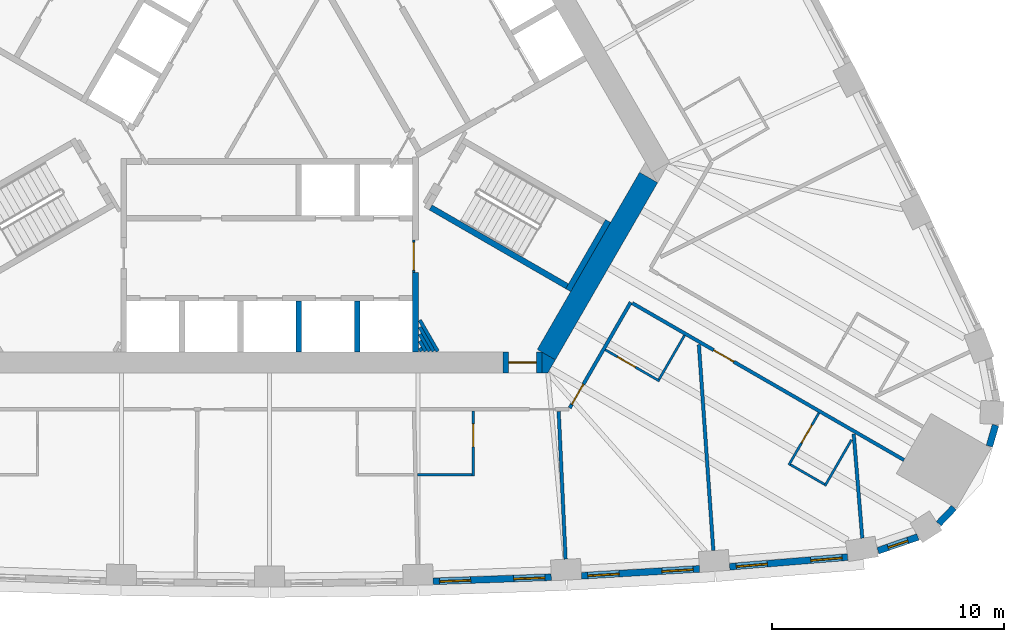
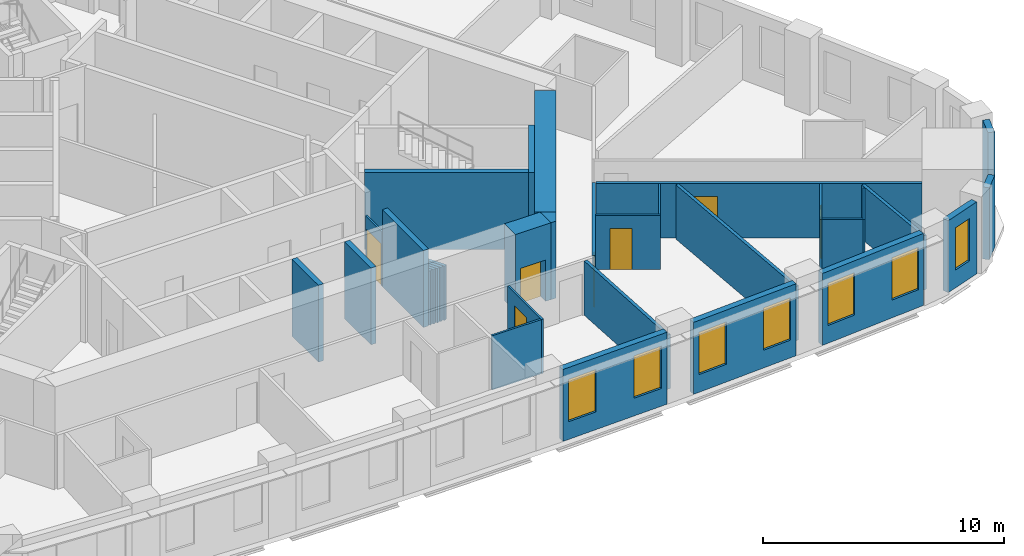
# One storey, part 7 of 12: 32 walls, 7 doors, 7 windows, 14 openings.
"""IFC4 building model written with IfcOpenShell, lengths in metres."""

from ifc_helpers import new_model, si_unit, direction, frame, frame_2d, origin, place, context, subcontext, project, spatial, polyline, rectangle, outline, extrude, material, layer, layer_set, type_object, element, fill, save


model = new_model("IFC4")

# Units and contexts
model_context = context("Model", 3, precision=1e-05, world=origin(), true_north=direction((0.0, 1.0)))
body_context = subcontext(model_context, "Body", "Model", "MODEL_VIEW")
ifc_project = project(units=[si_unit("LENGTHUNIT", "METRE"), si_unit("AREAUNIT", "SQUARE_METRE"), si_unit("VOLUMEUNIT", "CUBIC_METRE"), si_unit("PLANEANGLEUNIT", "RADIAN"), si_unit("MASSUNIT", "GRAM", prefix="KILO")], contexts=[model_context])

# Site, building, storey
site_placement = place(None, origin())
site = spatial("IfcSite", under=ifc_project, at=site_placement, CompositionType="ELEMENT")
building_placement = place(site_placement, origin())
building = spatial("IfcBuilding", under=site, at=building_placement, Name="Mestral Congress Tower", CompositionType="ELEMENT")
storey_placement = place(building_placement, frame((0.0, 0.0, 118.800048828125)))
storey = spatial("IfcBuildingStorey", under=building, at=storey_placement, Name="L28", CompositionType="ELEMENT", Elevation=118.800048828125)

# Walls
ifc_material_1 = material(Name="Fire-rated board partition")
ifc_layer_1 = layer(ifc_material_1, 0.14990234375)
ifc_layer_set_1 = layer_set([ifc_layer_1], Name="Fire-rated board partition")
wall_type_1 = type_object("IfcWallType", Name="Core partition 150", PredefinedType="PARTITIONING", material=ifc_layer_set_1)
wall_1_placement = place(storey_placement, frame((6.47998046875, -10.7255859375, 0.0), z_axis=(0.0, 0.0, 1.0), x_axis=(0.500017819788, -0.86601511528, 0.0)))
element("IfcWall", 1, at=wall_1_placement, inside=storey, type_object=wall_type_1, Name="L28 core wall", PredefinedType="PARTITIONING", context=body_context, shape_type="SweptSolid", body=[
    extrude(rectangle(XDim=1.55029296875, YDim=0.14990234375, at=frame_2d((0.775146484375, 0.0))), origin(), (0.0, 0.0, 1.0), 2.75),
])
wall_2_placement = place(storey_placement, frame((6.47998046875, -11.025634765625, 0.0), z_axis=(0.0, 0.0, 1.0), x_axis=(0.49995654735, -0.86605048973, 0.0)))
element("IfcWall", 2, at=wall_2_placement, inside=storey, type_object=wall_type_1, Name="L28 core wall", PredefinedType="PARTITIONING", context=body_context, shape_type="SweptSolid", body=[
    extrude(rectangle(XDim=1.20361328125, YDim=0.14990234375, at=frame_2d((0.601806640625, 0.0))), origin(), (0.0, 0.0, 1.0), 2.75),
])
wall_3_placement = place(storey_placement, frame((6.47998046875, -11.32568359375, 0.0), z_axis=(0.0, 0.0, 1.0), x_axis=(0.500059337743, -0.865991142412, 0.0)))
element("IfcWall", 3, at=wall_3_placement, inside=storey, type_object=wall_type_1, Name="L28 core wall", PredefinedType="PARTITIONING", context=body_context, shape_type="SweptSolid", body=[
    extrude(rectangle(XDim=0.857421875, YDim=0.14990234375, at=frame_2d((0.4287109375, 0.0))), origin(), (0.0, 0.0, 1.0), 2.75),
])
wall_4_placement = place(storey_placement, frame((6.47998046875, -11.625732421875, 0.0), z_axis=(0.0, 0.0, 1.0), x_axis=(0.500301480982, -0.865851273677, 0.0)))
element("IfcWall", 4, at=wall_4_placement, inside=storey, type_object=wall_type_1, Name="L28 core wall", PredefinedType="PARTITIONING", context=body_context, shape_type="SweptSolid", body=[
    extrude(rectangle(XDim=0.510986328125, YDim=0.14990234375, at=frame_2d((0.25537109375, 0.0))), origin(), (0.0, 0.0, 1.0), 2.75),
])
wall_5_placement = place(storey_placement, frame((6.47998046875, -11.92578125, 0.0), z_axis=(0.0, 0.0, 1.0), x_axis=(0.500450775723, -0.86576499183, 0.0)))
element("IfcWall", 5, at=wall_5_placement, inside=storey, type_object=wall_type_1, Name="L28 core wall", PredefinedType="PARTITIONING", context=body_context, shape_type="SweptSolid", body=[
    extrude(rectangle(XDim=0.164306640625, YDim=0.14990234375, at=frame_2d((0.08203125, 0.0))), origin(), (0.0, 0.0, 1.0), 2.75),
])

# Wall, opening, door
ifc_layer_2 = layer(ifc_material_1, 0.090087890625)
ifc_layer_set_2 = layer_set([ifc_layer_2], Name="Fire-rated board partition")
wall_type_2 = type_object("IfcWallType", Name="Core partition 150 door-wall 90", PredefinedType="PARTITIONING", material=ifc_layer_set_2)
wall_6_placement = place(storey_placement, frame((6.219970703125, -7.266357421875, 0.0), z_axis=(0.0, 0.0, 1.0), x_axis=(0.0, -1.0, 0.0)))
wall_6 = element("IfcWall", 6, at=wall_6_placement, inside=storey, type_object=wall_type_2, Name="L28 door wall", PredefinedType="PARTITIONING", context=body_context, shape_type="SweptSolid", body=[
    extrude(rectangle(XDim=1.400146484375, YDim=0.090087890625, at=frame_2d((0.7001953125, 0.0))), origin(), (0.0, 0.0, 1.0), 2.75),
])
opening_1_placement = place(wall_6_placement, frame((0.10009765625, 0.0, 0.0)))
opening_1 = element("IfcOpeningElement", 7, at=opening_1_placement, cuts=wall_6, Name="Opening LB0-WL1", PredefinedType="OPENING", context=body_context, shape_type="SweptSolid", body=[
    extrude(rectangle(XDim=1.199951171875, YDim=2.10009765625, at=frame_2d((0.60009765625, 1.050048828125))), frame((0.0, 0.054931640625, 0.0), z_axis=(0.0, -1.0, 0.0), x_axis=(1.0, 0.0, 0.0)), (0.0, 0.0, 1.0), 0.110107421875),
])
ifc_material_2 = material(Name="Fire-rated steel door set", Category="steel")
door_type_1 = type_object("IfcDoorType", Name="Core door LB 1200x2100", OperationType="SINGLE_SWING_LEFT", PredefinedType="DOOR", material=ifc_material_2)
door_1_placement = place(opening_1_placement, origin())
door_1 = element("IfcDoor", 8, at=door_1_placement, inside=storey, type_object=door_type_1, Name="Door LB0-WL1", OperationType="SINGLE_SWING_LEFT", OverallHeight=2.10009765625, OverallWidth=1.199951171875, PredefinedType="DOOR", context=body_context, shape_type="SweptSolid", body=[
    extrude(rectangle(XDim=1.199951171875, YDim=2.10009765625, at=frame_2d((0.60009765625, 1.050048828125))), frame((0.0, 0.02490234375, 0.0), z_axis=(0.0, -1.0, 0.0), x_axis=(1.0, 0.0, 0.0)), (0.0, 0.0, 1.0), 0.050048828125),
])
fill(opening_1, door_1)

# Walls
ifc_material_3 = material(Name="Concrete C60/75", Category="concrete")
ifc_layer_3 = layer(ifc_material_3, 0.89990234375)
ifc_layer_set_3 = layer_set([ifc_layer_3], Name="Concrete C60/75")
wall_type_3 = type_object("IfcWallType", Name="Core wall RC 900", PredefinedType="SOLIDWALL", material=ifc_layer_set_3)
wall_7_placement = place(storey_placement, frame((11.943115234375, -12.214111328125, 0.0), z_axis=(0.0, 0.0, 1.0), x_axis=(0.49998092645, 0.866036415623, 0.0)))
element("IfcWall", 9, at=wall_7_placement, inside=storey, type_object=wall_type_3, Name="L28 core wall", PredefinedType="SOLIDWALL", context=body_context, shape_type="SweptSolid", body=[
    extrude(rectangle(XDim=8.830322265625, YDim=0.89990234375, at=frame_2d((4.4150390625, 0.0))), origin(), (0.0, 0.0, 1.0), 3.89990234375),
])
wall_8_placement = place(storey_placement, origin())
element("IfcWall", 10, at=wall_8_placement, inside=storey, type_object=wall_type_3, Name="L28 core wall", PredefinedType="SOLIDWALL", context=body_context, shape_type="SweptSolid", body=[
    extrude(outline(polyline([(12.0087890625, -13.0), (11.764404296875, -13.0), (11.764404296875, -12.11328125), (12.331787109375, -12.440673828125), (12.0087890625, -13.0)])), origin(), (0.0, 0.0, 1.0), 3.89990234375),
])

# Wall, opening, door
wall_9_placement = place(storey_placement, frame((11.764404296875, -12.550048828125, 0.0), z_axis=(0.0, 0.0, 1.0), x_axis=(-1.0, 0.0, 0.0)))
wall_9 = element("IfcWall", 11, at=wall_9_placement, inside=storey, type_object=wall_type_3, Name="L28 door wall", PredefinedType="SOLIDWALL", context=body_context, shape_type="SweptSolid", body=[
    extrude(rectangle(XDim=1.699951171875, YDim=0.89990234375, at=frame_2d((0.85009765625, 0.0))), origin(), (0.0, 0.0, 1.0), 3.89990234375),
])
opening_2_placement = place(wall_9_placement, frame((0.25, 0.0, 0.0)))
opening_2 = element("IfcOpeningElement", 12, at=opening_2_placement, cuts=wall_9, Name="Opening XD1", PredefinedType="OPENING", context=body_context, shape_type="SweptSolid", body=[
    extrude(rectangle(XDim=1.199951171875, YDim=2.10009765625, at=frame_2d((0.60009765625, 1.050048828125))), frame((0.0, 0.4599609375, 0.0), z_axis=(0.0, -1.0, 0.0), x_axis=(1.0, 0.0, 0.0)), (0.0, 0.0, 1.0), 0.919921875),
])
door_type_2 = type_object("IfcDoorType", Name="Core door XD 1200x2100", OperationType="SINGLE_SWING_LEFT", PredefinedType="DOOR", material=ifc_material_2)
door_2_placement = place(opening_2_placement, origin())
door_2 = element("IfcDoor", 13, at=door_2_placement, inside=storey, type_object=door_type_2, Name="Door XD1", OperationType="SINGLE_SWING_LEFT", OverallHeight=2.10009765625, OverallWidth=1.199951171875, PredefinedType="DOOR", context=body_context, shape_type="SweptSolid", body=[
    extrude(rectangle(XDim=1.199951171875, YDim=2.10009765625, at=frame_2d((0.60009765625, 1.050048828125))), frame((0.0, 0.02490234375, 0.0), z_axis=(0.0, -1.0, 0.0), x_axis=(1.0, 0.0, 0.0)), (0.0, 0.0, 1.0), 0.050048828125),
])
fill(opening_2, door_2)

# Wall, openings, windows
ifc_material_4 = material(Name="Precast concrete C40/50 with limestone facing", Category="masonry")
ifc_layer_4 = layer(ifc_material_4, 0.2900390625)
ifc_layer_set_4 = layer_set([ifc_layer_4], Name="Precast concrete C40/50 with limestone facing")
wall_type_4 = type_object("IfcWallType", Name="Facade stone wall 290", PredefinedType="SOLIDWALL", material=ifc_layer_set_4)
wall_10_placement = place(storey_placement, frame((7.059326171875, -22.000732421875, 0.0), z_axis=(0.0, 0.0, 1.0), x_axis=(0.999385993957, 0.035037623812, 0.0)))
wall_10 = element("IfcWall", 14, at=wall_10_placement, inside=storey, type_object=wall_type_4, Name="Facade wall F0-05", PredefinedType="SOLIDWALL", context=body_context, shape_type="SweptSolid", body=[
    extrude(rectangle(XDim=5.1005859375, YDim=0.2900390625, at=frame_2d((2.55029296875, 0.0))), origin(), (0.0, 0.0, 1.0), 3.64990234375),
])
opening_3_placement = place(wall_10_placement, frame((0.272705078125, 0.0, 0.89990234375)))
opening_3 = element("IfcOpeningElement", 15, at=opening_3_placement, cuts=wall_10, Name="Opening W2", PredefinedType="OPENING", context=body_context, shape_type="SweptSolid", body=[
    extrude(rectangle(XDim=1.35009765625, YDim=2.14990234375, at=frame_2d((0.675048828125, 1.074951171875))), frame((0.0, 0.155029296875, 0.0), z_axis=(0.0, -1.0, 0.0), x_axis=(1.0, 0.0, 0.0)), (0.0, 0.0, 1.0), 0.31005859375),
])
opening_4_placement = place(wall_10_placement, frame((3.477783203125, 0.0, 0.89990234375)))
opening_4 = element("IfcOpeningElement", 16, at=opening_4_placement, cuts=wall_10, Name="Opening W2", PredefinedType="OPENING", context=body_context, shape_type="SweptSolid", body=[
    extrude(rectangle(XDim=1.35009765625, YDim=2.14990234375, at=frame_2d((0.675048828125, 1.074951171875))), frame((0.0, 0.155029296875, 0.0), z_axis=(0.0, -1.0, 0.0), x_axis=(1.0, 0.0, 0.0)), (0.0, 0.0, 1.0), 0.31005859375),
])
ifc_material_5 = material(Name="Clear low-emissivity double glazing", Category="glass")
window_type_1 = type_object("IfcWindowType", Name="Facade punched window 1350 x 2150 sill 900", PartitioningType="DOUBLE_PANEL_VERTICAL", PredefinedType="WINDOW", material=ifc_material_5)
window_1_placement = place(opening_3_placement, origin())
window_1 = element("IfcWindow", 17, at=window_1_placement, inside=storey, type_object=window_type_1, Name="Window F0-05a", OverallHeight=2.14990234375, OverallWidth=1.35009765625, PartitioningType="DOUBLE_PANEL_VERTICAL", PredefinedType="WINDOW", context=body_context, shape_type="SweptSolid", body=[
    extrude(rectangle(XDim=1.35009765625, YDim=2.14990234375, at=frame_2d((0.675048828125, 1.074951171875))), frame((0.0, 0.01513671875, 0.0), z_axis=(0.0, -1.0, 0.0), x_axis=(1.0, 0.0, 0.0)), (0.0, 0.0, 1.0), 0.06005859375),
])
fill(opening_3, window_1)
window_2_placement = place(opening_4_placement, origin())
window_2 = element("IfcWindow", 18, at=window_2_placement, inside=storey, type_object=window_type_1, Name="Window F0-05b", OverallHeight=2.14990234375, OverallWidth=1.35009765625, PartitioningType="DOUBLE_PANEL_VERTICAL", PredefinedType="WINDOW", context=body_context, shape_type="SweptSolid", body=[
    extrude(rectangle(XDim=1.35009765625, YDim=2.14990234375, at=frame_2d((0.675048828125, 1.074951171875))), frame((0.0, 0.01513671875, 0.0), z_axis=(0.0, -1.0, 0.0), x_axis=(1.0, 0.0, 0.0)), (0.0, 0.0, 1.0), 0.06005859375),
])
fill(opening_4, window_2)

wall_11_placement = place(storey_placement, frame((13.4619140625, -21.760986328125, 0.0), z_axis=(0.0, 0.0, 1.0), x_axis=(0.998290511436, 0.058447025388, 0.0)))
wall_11 = element("IfcWall", 19, at=wall_11_placement, inside=storey, type_object=wall_type_4, Name="Facade wall F0-06", PredefinedType="SOLIDWALL", context=body_context, shape_type="SweptSolid", body=[
    extrude(rectangle(XDim=5.100341796875, YDim=0.2900390625, at=frame_2d((2.55029296875, 0.0))), origin(), (0.0, 0.0, 1.0), 3.64990234375),
])
opening_5_placement = place(wall_11_placement, frame((0.2724609375, 0.0, 0.89990234375)))
opening_5 = element("IfcOpeningElement", 20, at=opening_5_placement, cuts=wall_11, Name="Opening W2", PredefinedType="OPENING", context=body_context, shape_type="SweptSolid", body=[
    extrude(rectangle(XDim=1.35009765625, YDim=2.14990234375, at=frame_2d((0.675048828125, 1.074951171875))), frame((0.0, 0.155029296875, 0.0), z_axis=(0.0, -1.0, 0.0), x_axis=(1.0, 0.0, 0.0)), (0.0, 0.0, 1.0), 0.31005859375),
])
opening_6_placement = place(wall_11_placement, frame((3.477783203125, 0.0, 0.89990234375)))
opening_6 = element("IfcOpeningElement", 21, at=opening_6_placement, cuts=wall_11, Name="Opening W2", PredefinedType="OPENING", context=body_context, shape_type="SweptSolid", body=[
    extrude(rectangle(XDim=1.35009765625, YDim=2.14990234375, at=frame_2d((0.675048828125, 1.074951171875))), frame((0.0, 0.155029296875, 0.0), z_axis=(0.0, -1.0, 0.0), x_axis=(1.0, 0.0, 0.0)), (0.0, 0.0, 1.0), 0.31005859375),
])
window_3_placement = place(opening_5_placement, origin())
window_3 = element("IfcWindow", 22, at=window_3_placement, inside=storey, type_object=window_type_1, Name="Window F0-06a", OverallHeight=2.14990234375, OverallWidth=1.35009765625, PartitioningType="DOUBLE_PANEL_VERTICAL", PredefinedType="WINDOW", context=body_context, shape_type="SweptSolid", body=[
    extrude(rectangle(XDim=1.35009765625, YDim=2.14990234375, at=frame_2d((0.675048828125, 1.074951171875))), frame((0.0, 0.01513671875, 0.0), z_axis=(0.0, -1.0, 0.0), x_axis=(1.0, 0.0, 0.0)), (0.0, 0.0, 1.0), 0.06005859375),
])
fill(opening_5, window_3)
window_4_placement = place(opening_6_placement, origin())
window_4 = element("IfcWindow", 23, at=window_4_placement, inside=storey, type_object=window_type_1, Name="Window F0-06b", OverallHeight=2.14990234375, OverallWidth=1.35009765625, PartitioningType="DOUBLE_PANEL_VERTICAL", PredefinedType="WINDOW", context=body_context, shape_type="SweptSolid", body=[
    extrude(rectangle(XDim=1.35009765625, YDim=2.14990234375, at=frame_2d((0.675048828125, 1.074951171875))), frame((0.0, 0.01513671875, 0.0), z_axis=(0.0, -1.0, 0.0), x_axis=(1.0, 0.0, 0.0)), (0.0, 0.0, 1.0), 0.06005859375),
])
fill(opening_6, window_4)

wall_12_placement = place(storey_placement, frame((19.856689453125, -21.37109375, 0.0), z_axis=(0.0, 0.0, 1.0), x_axis=(0.99665273362, 0.081751627308, 0.0)))
wall_12 = element("IfcWall", 24, at=wall_12_placement, inside=storey, type_object=wall_type_4, Name="Facade wall F0-07", PredefinedType="SOLIDWALL", context=body_context, shape_type="SweptSolid", body=[
    extrude(rectangle(XDim=5.106689453125, YDim=0.2900390625, at=frame_2d((2.55322265625, 0.0))), origin(), (0.0, 0.0, 1.0), 3.64990234375),
])
opening_7_placement = place(wall_12_placement, frame((0.285400390625, 0.0, 0.89990234375)))
opening_7 = element("IfcOpeningElement", 25, at=opening_7_placement, cuts=wall_12, Name="Opening W2", PredefinedType="OPENING", context=body_context, shape_type="SweptSolid", body=[
    extrude(rectangle(XDim=1.35009765625, YDim=2.14990234375, at=frame_2d((0.675048828125, 1.074951171875))), frame((0.0, 0.155029296875, 0.0), z_axis=(0.0, -1.0, 0.0), x_axis=(1.0, 0.0, 0.0)), (0.0, 0.0, 1.0), 0.31005859375),
])
opening_8_placement = place(wall_12_placement, frame((3.51611328125, 0.0, 0.89990234375)))
opening_8 = element("IfcOpeningElement", 26, at=opening_8_placement, cuts=wall_12, Name="Opening W2", PredefinedType="OPENING", context=body_context, shape_type="SweptSolid", body=[
    extrude(rectangle(XDim=1.35009765625, YDim=2.14990234375, at=frame_2d((0.675048828125, 1.074951171875))), frame((0.0, 0.155029296875, 0.0), z_axis=(0.0, -1.0, 0.0), x_axis=(1.0, 0.0, 0.0)), (0.0, 0.0, 1.0), 0.31005859375),
])
window_5_placement = place(opening_7_placement, origin())
window_5 = element("IfcWindow", 27, at=window_5_placement, inside=storey, type_object=window_type_1, Name="Window F0-07a", OverallHeight=2.14990234375, OverallWidth=1.35009765625, PartitioningType="DOUBLE_PANEL_VERTICAL", PredefinedType="WINDOW", context=body_context, shape_type="SweptSolid", body=[
    extrude(rectangle(XDim=1.35009765625, YDim=2.14990234375, at=frame_2d((0.675048828125, 1.074951171875))), frame((0.0, 0.01513671875, 0.0), z_axis=(0.0, -1.0, 0.0), x_axis=(1.0, 0.0, 0.0)), (0.0, 0.0, 1.0), 0.06005859375),
])
fill(opening_7, window_5)
window_6_placement = place(opening_8_placement, origin())
window_6 = element("IfcWindow", 28, at=window_6_placement, inside=storey, type_object=window_type_1, Name="Window F0-07b", OverallHeight=2.14990234375, OverallWidth=1.35009765625, PartitioningType="DOUBLE_PANEL_VERTICAL", PredefinedType="WINDOW", context=body_context, shape_type="SweptSolid", body=[
    extrude(rectangle(XDim=1.35009765625, YDim=2.14990234375, at=frame_2d((0.675048828125, 1.074951171875))), frame((0.0, 0.01513671875, 0.0), z_axis=(0.0, -1.0, 0.0), x_axis=(1.0, 0.0, 0.0)), (0.0, 0.0, 1.0), 0.06005859375),
])
fill(opening_8, window_6)

# Wall, opening, window
wall_13_placement = place(storey_placement, frame((26.260986328125, -20.67919921875, 0.0), z_axis=(0.0, 0.0, 1.0), x_axis=(0.945385815453, 0.325953462844, 0.0)))
wall_13 = element("IfcWall", 29, at=wall_13_placement, inside=storey, type_object=wall_type_4, Name="Facade wall K0-0", PredefinedType="SOLIDWALL", context=body_context, shape_type="SweptSolid", body=[
    extrude(rectangle(XDim=1.8193359375, YDim=0.2900390625, at=frame_2d((0.90966796875, 0.0))), origin(), (0.0, 0.0, 1.0), 3.64990234375),
])
opening_9_placement = place(wall_13_placement, frame((0.459716796875, 0.0, 0.89990234375)))
opening_9 = element("IfcOpeningElement", 30, at=opening_9_placement, cuts=wall_13, Name="Opening W3", PredefinedType="OPENING", context=body_context, shape_type="SweptSolid", body=[
    extrude(rectangle(XDim=0.89990234375, YDim=2.14990234375, at=frame_2d((0.449951171875, 1.074951171875))), frame((0.0, 0.155029296875, 0.0), z_axis=(0.0, -1.0, 0.0), x_axis=(1.0, 0.0, 0.0)), (0.0, 0.0, 1.0), 0.31005859375),
])
window_type_2 = type_object("IfcWindowType", Name="Facade punched window 900 x 2150 sill 900", PartitioningType="SINGLE_PANEL", PredefinedType="WINDOW", material=ifc_material_5)
window_7_placement = place(opening_9_placement, origin())
window_7 = element("IfcWindow", 31, at=window_7_placement, inside=storey, type_object=window_type_2, Name="Window K0-0", OverallHeight=2.14990234375, OverallWidth=0.89990234375, PartitioningType="SINGLE_PANEL", PredefinedType="WINDOW", context=body_context, shape_type="SweptSolid", body=[
    extrude(rectangle(XDim=0.89990234375, YDim=2.14990234375, at=frame_2d((0.449951171875, 1.074951171875))), frame((0.0, 0.01513671875, 0.0), z_axis=(0.0, -1.0, 0.0), x_axis=(1.0, 0.0, 0.0)), (0.0, 0.0, 1.0), 0.06005859375),
])
fill(opening_9, window_7)

# Walls
wall_14_placement = place(storey_placement, frame((28.88037109375, -19.50927734375, 0.0), z_axis=(0.0, 0.0, 1.0), x_axis=(0.690414427296, 0.723414071319, 0.0)))
element("IfcWall", 32, at=wall_14_placement, inside=storey, type_object=wall_type_4, Name="Facade wall K0-1", PredefinedType="SOLIDWALL", context=body_context, shape_type="SweptSolid", body=[
    extrude(rectangle(XDim=0.947021484375, YDim=0.2900390625, at=frame_2d((0.4736328125, 0.0))), origin(), (0.0, 0.0, 1.0), 3.64990234375),
])
wall_15_placement = place(storey_placement, frame((31.069091796875, -16.165283203125, 0.0), z_axis=(0.0, 0.0, 1.0), x_axis=(0.281454582132, 0.95957455062, 0.0)))
element("IfcWall", 33, at=wall_15_placement, inside=storey, type_object=wall_type_4, Name="Facade wall K0-2", PredefinedType="SOLIDWALL", context=body_context, shape_type="SweptSolid", body=[
    extrude(rectangle(XDim=0.947265625, YDim=0.2900390625, at=frame_2d((0.4736328125, 0.0))), origin(), (0.0, 0.0, 1.0), 3.64990234375),
])

# Wall, opening, door
ifc_material_6 = material(Name="Gypsum board partition on metal studs with mineral wool", Category="composite")
ifc_layer_5 = layer(ifc_material_6, 0.10009765625)
ifc_layer_set_5 = layer_set([ifc_layer_5], Name="Gypsum board partition on metal studs with mineral wool")
wall_type_5 = type_object("IfcWallType", Name="Hotel partition wall 100", PredefinedType="PARTITIONING", material=ifc_layer_set_5)
wall_16_placement = place(storey_placement, frame((8.78759765625, -17.449951171875, 0.0), z_axis=(0.0, 0.0, 1.0), x_axis=(0.0, 1.0, 0.0)))
wall_16 = element("IfcWall", 34, at=wall_16_placement, inside=storey, type_object=wall_type_5, Name="L28-h-pod04a", PredefinedType="PARTITIONING", context=body_context, shape_type="SweptSolid", body=[
    extrude(rectangle(XDim=2.800048828125, YDim=0.10009765625, at=frame_2d((1.39990234375, 0.0))), origin(), (0.0, 0.0, 1.0), 2.75),
])
opening_10_placement = place(wall_16_placement, frame((1.25, 0.0, 0.0)))
opening_10 = element("IfcOpeningElement", 35, at=opening_10_placement, cuts=wall_16, Name="Opening H09-008", PredefinedType="OPENING", context=body_context, shape_type="SweptSolid", body=[
    extrude(rectangle(XDim=1.0, YDim=2.10009765625, at=frame_2d((0.5, 1.050048828125))), frame((0.0, 0.06005859375, 0.0), z_axis=(0.0, -1.0, 0.0), x_axis=(1.0, 0.0, 0.0)), (0.0, 0.0, 1.0), 0.1201171875),
])
ifc_material_7 = material(Name="Timber veneer door leaf in timber frame", Category="wood")
door_type_3 = type_object("IfcDoorType", Name="Accessible bathroom door 1000", OperationType="SINGLE_SWING_LEFT", PredefinedType="DOOR", material=ifc_material_7)
door_3_placement = place(opening_10_placement, origin())
door_3 = element("IfcDoor", 36, at=door_3_placement, inside=storey, type_object=door_type_3, Name="L28-h-d008", OperationType="SINGLE_SWING_LEFT", OverallHeight=2.10009765625, OverallWidth=1.0, PredefinedType="DOOR", context=body_context, shape_type="SweptSolid", body=[
    extrude(rectangle(XDim=1.0, YDim=2.10009765625, at=frame_2d((0.5, 1.050048828125))), frame((0.0, 0.02490234375, 0.0), z_axis=(0.0, -1.0, 0.0), x_axis=(1.0, 0.0, 0.0)), (0.0, 0.0, 1.0), 0.050048828125),
])
fill(opening_10, door_3)

# Wall
wall_17_placement = place(storey_placement, frame((8.73779296875, -17.39990234375, 0.0), z_axis=(0.0, 0.0, 1.0), x_axis=(-1.0, 0.0, 0.0)))
element("IfcWall", 37, at=wall_17_placement, inside=storey, type_object=wall_type_5, Name="L28-h-pod04b", PredefinedType="PARTITIONING", context=body_context, shape_type="SweptSolid", body=[
    extrude(rectangle(XDim=2.360107421875, YDim=0.10009765625, at=frame_2d((1.18017578125, 0.0))), origin(), (0.0, 0.0, 1.0), 2.75),
])

# Wall, opening, door
wall_18_placement = place(storey_placement, frame((14.489501953125, -12.00341796875, 0.0), z_axis=(0.0, 0.0, 1.0), x_axis=(0.866059108428, -0.4999416173, 0.0)))
wall_18 = element("IfcWall", 38, at=wall_18_placement, inside=storey, type_object=wall_type_5, Name="L28-h-pod05a", PredefinedType="PARTITIONING", context=body_context, shape_type="SweptSolid", body=[
    extrude(rectangle(XDim=2.699951171875, YDim=0.10009765625, at=frame_2d((1.35009765625, 0.0))), origin(), (0.0, 0.0, 1.0), 2.75),
])
opening_11_placement = place(wall_18_placement, frame((0.60009765625, 0.0, 0.0)))
opening_11 = element("IfcOpeningElement", 39, at=opening_11_placement, cuts=wall_18, Name="Opening H09-010", PredefinedType="OPENING", context=body_context, shape_type="SweptSolid", body=[
    extrude(rectangle(XDim=0.89990234375, YDim=2.10009765625, at=frame_2d((0.449951171875, 1.050048828125))), frame((0.0, 0.06005859375, 0.0), z_axis=(0.0, -1.0, 0.0), x_axis=(1.0, 0.0, 0.0)), (0.0, 0.0, 1.0), 0.1201171875),
])
door_type_4 = type_object("IfcDoorType", Name="Bathroom door 900", OperationType="SINGLE_SWING_LEFT", PredefinedType="DOOR", material=ifc_material_7)
door_4_placement = place(opening_11_placement, origin())
door_4 = element("IfcDoor", 40, at=door_4_placement, inside=storey, type_object=door_type_4, Name="L28-h-d010", OperationType="SINGLE_SWING_LEFT", OverallHeight=2.10009765625, OverallWidth=0.89990234375, PredefinedType="DOOR", context=body_context, shape_type="SweptSolid", body=[
    extrude(rectangle(XDim=0.89990234375, YDim=2.10009765625, at=frame_2d((0.449951171875, 1.050048828125))), frame((0.0, 0.02490234375, 0.0), z_axis=(0.0, -1.0, 0.0), x_axis=(1.0, 0.0, 0.0)), (0.0, 0.0, 1.0), 0.050048828125),
])
fill(opening_11, door_4)

# Wall
wall_19_placement = place(storey_placement, frame((16.8095703125, -13.284912109375, 0.0), z_axis=(0.0, 0.0, 1.0), x_axis=(0.499994660107, 0.866028486751, 0.0)))
element("IfcWall", 41, at=wall_19_placement, inside=storey, type_object=wall_type_5, Name="L28-h-pod05b", PredefinedType="PARTITIONING", context=body_context, shape_type="SweptSolid", body=[
    extrude(rectangle(XDim=2.19970703125, YDim=0.10009765625, at=frame_2d((1.099853515625, 0.0))), origin(), (0.0, 0.0, 1.0), 2.75),
])

# Wall, opening, door
wall_20_placement = place(storey_placement, frame((23.710205078125, -14.728271484375, 0.0), z_axis=(0.0, 0.0, 1.0), x_axis=(-0.500006934395, -0.866021400173, 0.0)))
wall_20 = element("IfcWall", 42, at=wall_20_placement, inside=storey, type_object=wall_type_5, Name="L28-h-pod06a", PredefinedType="PARTITIONING", context=body_context, shape_type="SweptSolid", body=[
    extrude(rectangle(XDim=2.60009765625, YDim=0.10009765625, at=frame_2d((1.300048828125, 0.0))), origin(), (0.0, 0.0, 1.0), 2.75),
])
opening_12_placement = place(wall_20_placement, frame((0.60009765625, 0.0, 0.0)))
opening_12 = element("IfcOpeningElement", 43, at=opening_12_placement, cuts=wall_20, Name="Opening H09-012", PredefinedType="OPENING", context=body_context, shape_type="SweptSolid", body=[
    extrude(rectangle(XDim=0.89990234375, YDim=2.10009765625, at=frame_2d((0.449951171875, 1.050048828125))), frame((0.0, 0.06005859375, 0.0), z_axis=(0.0, -1.0, 0.0), x_axis=(1.0, 0.0, 0.0)), (0.0, 0.0, 1.0), 0.1201171875),
])
door_5_placement = place(opening_12_placement, origin())
door_5 = element("IfcDoor", 44, at=door_5_placement, inside=storey, type_object=door_type_4, Name="L28-h-d012", OperationType="SINGLE_SWING_RIGHT", OverallHeight=2.10009765625, OverallWidth=0.89990234375, PredefinedType="DOOR", context=body_context, shape_type="SweptSolid", body=[
    extrude(rectangle(XDim=0.89990234375, YDim=2.10009765625, at=frame_2d((0.449951171875, 1.050048828125))), frame((0.0, 0.02490234375, 0.0), z_axis=(0.0, -1.0, 0.0), x_axis=(1.0, 0.0, 0.0)), (0.0, 0.0, 1.0), 0.050048828125),
])
fill(opening_12, door_5)

# Walls
wall_21_placement = place(storey_placement, frame((22.478515625, -16.961669921875, 0.0), z_axis=(0.0, 0.0, 1.0), x_axis=(0.86605165483, -0.499954529098, 0.0)))
element("IfcWall", 45, at=wall_21_placement, inside=storey, type_object=wall_type_5, Name="L28-h-pod06b", PredefinedType="PARTITIONING", context=body_context, shape_type="SweptSolid", body=[
    extrude(rectangle(XDim=1.699951171875, YDim=0.10009765625, at=frame_2d((0.85009765625, 0.0))), origin(), (0.0, 0.0, 1.0), 2.75),
])
wall_22_placement = place(storey_placement, frame((25.118896484375, -15.88818359375, 0.0), z_axis=(0.0, 0.0, 1.0), x_axis=(-0.499998129301, -0.86602648383, 0.0)))
element("IfcWall", 46, at=wall_22_placement, inside=storey, type_object=wall_type_5, Name="L28-h-pod06c", PredefinedType="PARTITIONING", context=body_context, shape_type="SweptSolid", body=[
    extrude(rectangle(XDim=2.2998046875, YDim=0.10009765625, at=frame_2d((1.14990234375, 0.0))), origin(), (0.0, 0.0, 1.0), 2.75),
])

# Wall, opening, door
ifc_layer_6 = layer(ifc_material_6, 0.14990234375)
ifc_layer_set_6 = layer_set([ifc_layer_6], Name="Gypsum board partition on metal studs with mineral wool")
wall_type_6 = type_object("IfcWallType", Name="Hotel partition wall 150", PredefinedType="PARTITIONING", material=ifc_layer_set_6)
wall_23_placement = place(storey_placement, frame((15.58740234375, -9.951904296875, 0.0), z_axis=(0.0, 0.0, 1.0), x_axis=(-0.500016618951, -0.866015808616, 0.0)))
wall_23 = element("IfcWall", 47, at=wall_23_placement, inside=storey, type_object=wall_type_6, Name="L28-h-cw14", PredefinedType="PARTITIONING", context=body_context, shape_type="SweptSolid", body=[
    extrude(rectangle(XDim=5.268310546875, YDim=0.14990234375, at=frame_2d((2.63427734375, 0.0))), origin(), (0.0, 0.0, 1.0), 2.75),
])
opening_13_placement = place(wall_23_placement, frame((4.088134765625, 0.0, 0.0)))
opening_13 = element("IfcOpeningElement", 48, at=opening_13_placement, cuts=wall_23, Name="Opening H09-009", PredefinedType="OPENING", context=body_context, shape_type="SweptSolid", body=[
    extrude(rectangle(XDim=1.0, YDim=2.10009765625, at=frame_2d((0.5, 1.050048828125))), frame((0.0, 0.0849609375, 0.0), z_axis=(0.0, -1.0, 0.0), x_axis=(1.0, 0.0, 0.0)), (0.0, 0.0, 1.0), 0.169921875),
])
ifc_material_8 = material(Name="Timber veneer door leaf in metal frame", Category="wood")
door_type_5 = type_object("IfcDoorType", Name="Guest room entrance door 1000", OperationType="SINGLE_SWING_LEFT", PredefinedType="DOOR", material=ifc_material_8)
door_6_placement = place(opening_13_placement, origin())
door_6 = element("IfcDoor", 49, at=door_6_placement, inside=storey, type_object=door_type_5, Name="L28-h-d009", OperationType="SINGLE_SWING_RIGHT", OverallHeight=2.10009765625, OverallWidth=1.0, PredefinedType="DOOR", context=body_context, shape_type="SweptSolid", body=[
    extrude(rectangle(XDim=1.0, YDim=2.10009765625, at=frame_2d((0.5, 1.050048828125))), frame((0.0, 0.02490234375, 0.0), z_axis=(0.0, -1.0, 0.0), x_axis=(1.0, 0.0, 0.0)), (0.0, 0.0, 1.0), 0.050048828125),
])
fill(opening_13, door_6)

wall_24_placement = place(storey_placement, frame((27.3857421875, -16.763916015625, 0.0), z_axis=(0.0, 0.0, 1.0), x_axis=(-0.866022585856, 0.500004880763, 0.0)))
wall_24 = element("IfcWall", 50, at=wall_24_placement, inside=storey, type_object=wall_type_6, Name="L28-h-cw15", PredefinedType="PARTITIONING", context=body_context, shape_type="SweptSolid", body=[
    extrude(rectangle(XDim=13.543701171875, YDim=0.14990234375, at=frame_2d((6.77197265625, 0.0))), origin(), (0.0, 0.0, 1.0), 2.75),
])
opening_14_placement = place(wall_24_placement, frame((8.490966796875, 0.0, 0.0)))
opening_14 = element("IfcOpeningElement", 51, at=opening_14_placement, cuts=wall_24, Name="Opening H09-011", PredefinedType="OPENING", context=body_context, shape_type="SweptSolid", body=[
    extrude(rectangle(XDim=1.0, YDim=2.10009765625, at=frame_2d((0.5, 1.050048828125))), frame((0.0, 0.0849609375, 0.0), z_axis=(0.0, -1.0, 0.0), x_axis=(1.0, 0.0, 0.0)), (0.0, 0.0, 1.0), 0.169921875),
])
door_7_placement = place(opening_14_placement, origin())
door_7 = element("IfcDoor", 52, at=door_7_placement, inside=storey, type_object=door_type_5, Name="L28-h-d011", OperationType="SINGLE_SWING_RIGHT", OverallHeight=2.10009765625, OverallWidth=1.0, PredefinedType="DOOR", context=body_context, shape_type="SweptSolid", body=[
    extrude(rectangle(XDim=1.0, YDim=2.10009765625, at=frame_2d((0.5, 1.050048828125))), frame((0.0, 0.02490234375, 0.0), z_axis=(0.0, -1.0, 0.0), x_axis=(1.0, 0.0, 0.0)), (0.0, 0.0, 1.0), 0.050048828125),
])
fill(opening_14, door_7)

# Walls
wall_25_placement = place(storey_placement, frame((12.7744140625, -21.044921875, 0.0), z_axis=(0.0, 0.0, 1.0), x_axis=(-0.046750341626, 0.998906605023, 0.0)))
element("IfcWall", 53, at=wall_25_placement, inside=storey, type_object=wall_type_6, Name="L28-h-pw17", PredefinedType="PARTITIONING", context=body_context, shape_type="SweptSolid", body=[
    extrude(rectangle(XDim=6.39208984375, YDim=0.14990234375, at=frame_2d((3.196044921875, 0.0))), origin(), (0.0, 0.0, 1.0), 2.75),
])
wall_26_placement = place(storey_placement, frame((19.152587890625, -20.67138671875, 0.0), z_axis=(0.0, 0.0, 1.0), x_axis=(-0.070070736723, 0.997542025107, 0.0)))
element("IfcWall", 54, at=wall_26_placement, inside=storey, type_object=wall_type_6, Name="L28-h-pw20", PredefinedType="PARTITIONING", context=body_context, shape_type="SweptSolid", body=[
    extrude(rectangle(XDim=8.9091796875, YDim=0.14990234375, at=frame_2d((4.45458984375, 0.0))), origin(), (0.0, 0.0, 1.0), 2.75),
])
wall_27_placement = place(storey_placement, frame((25.581787109375, -20.13818359375, 0.0), z_axis=(0.0, 0.0, 1.0), x_axis=(-0.081746132986, 0.996653184283, 0.0)))
element("IfcWall", 55, at=wall_27_placement, inside=storey, type_object=wall_type_6, Name="L28-h-pw21", PredefinedType="PARTITIONING", context=body_context, shape_type="SweptSolid", body=[
    extrude(rectangle(XDim=4.509765625, YDim=0.14990234375, at=frame_2d((2.2548828125, 0.0))), origin(), (0.0, 0.0, 1.0), 2.75),
])
ifc_layer_7 = layer(ifc_material_3, 0.25)
ifc_layer_set_7 = layer_set([ifc_layer_7], Name="Concrete C60/75")
wall_type_7 = type_object("IfcWallType", Name="Shaft wall RC 250", PredefinedType="SOLIDWALL", material=ifc_layer_set_7)
wall_28_placement = place(storey_placement, frame((6.300048828125, -12.10009765625, 0.0), z_axis=(0.0, 0.0, 1.0), x_axis=(0.0, 1.0, 0.0)))
element("IfcWall", 56, at=wall_28_placement, inside=storey, type_object=wall_type_7, Name="L28 core wall", PredefinedType="SOLIDWALL", context=body_context, shape_type="SweptSolid", body=[
    extrude(rectangle(XDim=3.427978515625, YDim=0.25, at=frame_2d((1.7138671875, 0.0))), origin(), (0.0, 0.0, 1.0), 3.89990234375),
])
for number, where, z_axis, x_axis, name in (
    (57, (3.780029296875, -12.10009765625, 0.0), (0.0, 0.0, 1.0), (0.0, 1.0, 0.0), "L28 core wall"),
    (58, (1.260009765625, -12.10009765625, 0.0), (0.0, 0.0, 1.0), (0.0, 1.0, 0.0), "L28 core wall"),
):
    element("IfcWall", number, at=place(storey_placement, frame(where, z_axis=z_axis, x_axis=x_axis)), inside=storey, type_object=wall_type_7, Name=name, PredefinedType="SOLIDWALL", context=body_context, shape_type="SweptSolid", body=[
        extrude(rectangle(XDim=2.199951171875, YDim=0.25, at=frame_2d((1.10009765625, 0.0))), origin(), (0.0, 0.0, 1.0), 3.89990234375),
    ])
ifc_layer_8 = layer(ifc_material_3, 0.25)
ifc_layer_set_8 = layer_set([ifc_layer_8], Name="Concrete C60/75")
wall_type_8 = type_object("IfcWallType", Name="Stair wall RC 250", PredefinedType="SOLIDWALL", material=ifc_layer_set_8)
wall_29_placement = place(storey_placement, frame((12.885498046875, -9.431396484375, 0.0), z_axis=(0.0, 0.0, 1.0), x_axis=(0.500020560727, 0.866013532718, 0.0)))
element("IfcWall", 59, at=wall_29_placement, inside=storey, type_object=wall_type_8, Name="L28 core wall", PredefinedType="SOLIDWALL", context=body_context, shape_type="SweptSolid", body=[
    extrude(rectangle(XDim=3.449951171875, YDim=0.25, at=frame_2d((1.72509765625, 0.0))), origin(), (0.0, 0.0, 1.0), 3.89990234375),
])
wall_30_placement = place(storey_placement, frame((12.83984375, -9.2607421875, 0.0), z_axis=(0.0, 0.0, 1.0), x_axis=(-0.866013990052, 0.500019768644, 0.0)))
element("IfcWall", 60, at=wall_30_placement, inside=storey, type_object=wall_type_8, Name="L28 core wall", PredefinedType="SOLIDWALL", context=body_context, shape_type="SweptSolid", body=[
    extrude(rectangle(XDim=6.800048828125, YDim=0.25, at=frame_2d((3.39990234375, 0.0))), origin(), (0.0, 0.0, 1.0), 3.89990234375),
])

save(model, "model.ifc")
